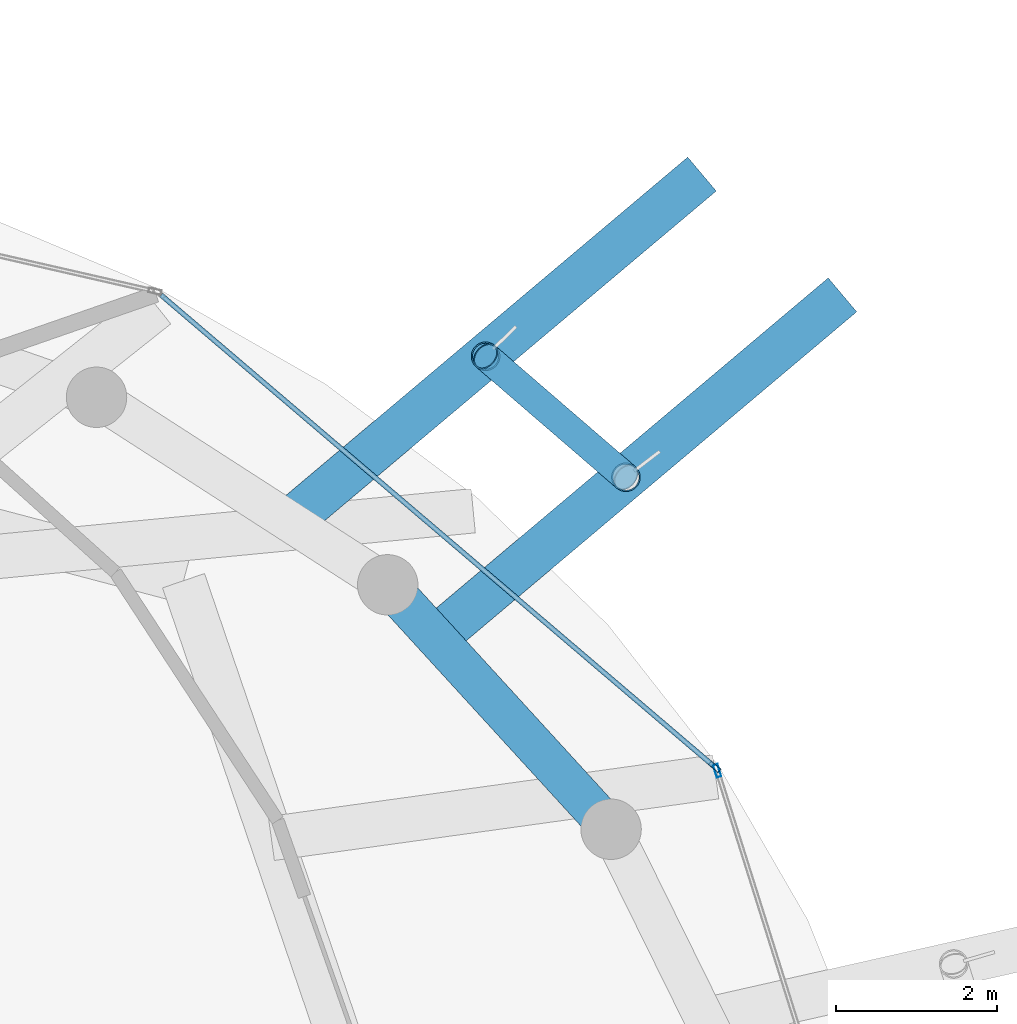
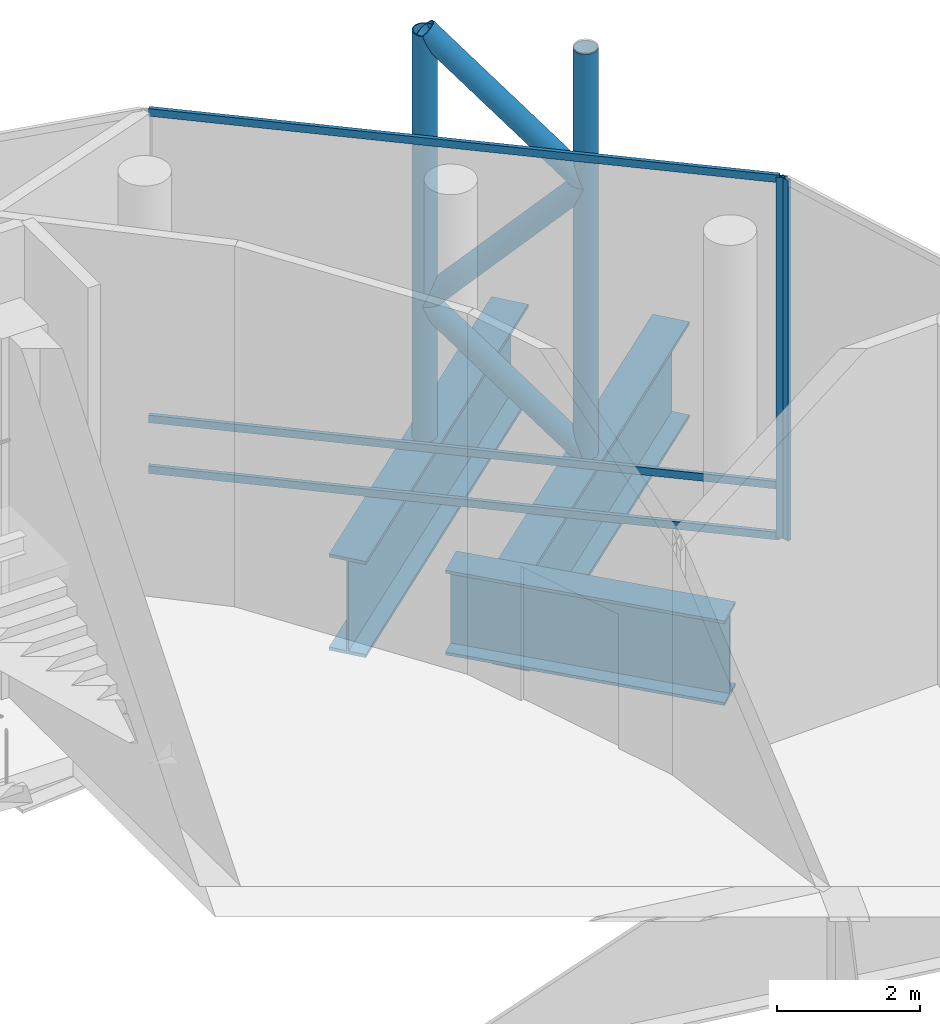
# One storey, part 17 of 26: 10 members, 3 beams, 2 elements without a shape of their own.
"""IFC4 building model written with IfcOpenShell, lengths in metres."""

import ifcopenshell
import ifcopenshell.guid

model = None  # the IFC model being written
_history = None  # IfcOwnerHistory: only IFC2X3 demands one
_inside = {}  # id of a spatial element -> (the spatial element, [elements in it])
_under = {}  # id of a project, library or spatial element -> (it, [spatial elements below it])
_declared = {}  # id of a project -> (the project, [libraries it declares])
_typed = {}  # id of a type object -> (the type object, [elements of that type])
_made_of = {}  # id of a material, layer set ... -> (it, [elements and type objects made of it])


def new_model(schema):
    """Start an empty IFC model of exactly this schema.

    Asked for "IFC4X3", IfcOpenShell would pick the latest addendum, in which some entities
    have other attributes; the version numbers below select the first issue.
    IFC2X3 requires an IfcOwnerHistory on every rooted entity: one is made here for all.
    """
    global model, _history
    if schema == "IFC4X3":
        model = ifcopenshell.file(schema_version=(4, 3, 0, 0))
    else:
        model = ifcopenshell.file(schema=schema)
    _inside.clear()
    _under.clear()
    _declared.clear()
    _typed.clear()
    _made_of.clear()
    _history = None
    if model.schema == "IFC2X3":
        org = make("IfcOrganization", Name="unknown")
        user = make(
            "IfcPersonAndOrganization",
            ThePerson=make("IfcPerson", FamilyName="unknown"),
            TheOrganization=org,
        )
        app = make(
            "IfcApplication",
            ApplicationDeveloper=org,
            Version="unknown",
            ApplicationFullName="unknown",
            ApplicationIdentifier="unknown",
        )
        _history = make(
            "IfcOwnerHistory",
            OwningUser=user,
            OwningApplication=app,
            ChangeAction="ADDED",
            CreationDate=0,
        )
    return model


def make(cls, **values):
    """One entity of the class cls with the attributes given. An attribute that is None is left unset."""
    return model.create_entity(
        cls, **{name: value for name, value in values.items() if value is not None}
    )


def rooted(cls, **values):
    """An entity with a GlobalId (a new one), such as an element, a storey or a relation."""
    return make(cls, GlobalId=ifcopenshell.guid.new(), OwnerHistory=_history, **values)


def si_unit(unit_type, name, prefix=None):
    """IfcSIUnit, for example si_unit("LENGTHUNIT", "METRE", prefix="MILLI")."""
    return make("IfcSIUnit", UnitType=unit_type, Prefix=prefix, Name=name)


def assignment(units):
    """IfcUnitAssignment: the units of a project."""
    return None if units is None else make("IfcUnitAssignment", Units=units)


def point(xyz):
    """IfcCartesianPoint."""
    return None if xyz is None else make("IfcCartesianPoint", Coordinates=xyz)


def direction(xyz):
    """IfcDirection."""
    return None if xyz is None else make("IfcDirection", DirectionRatios=xyz)


def frame(location, z_axis=None, x_axis=None):
    """IfcAxis2Placement3D, a coordinate frame: its origin and axes. An axis left out is left unset."""
    return make(
        "IfcAxis2Placement3D",
        Location=point(location),
        Axis=direction(z_axis),
        RefDirection=direction(x_axis),
    )


def frame_2d(location, x_axis=None):
    """IfcAxis2Placement2D, a coordinate frame in the plane: its origin and x axis."""
    return make(
        "IfcAxis2Placement2D", Location=point(location), RefDirection=direction(x_axis)
    )


def origin():
    """The frame at (0, 0, 0) with its axes left unset."""
    return frame((0.0, 0.0, 0.0))


def origin_2d():
    """The frame at (0, 0) in the plane with its x axis left unset."""
    return frame_2d((0.0, 0.0))


def place(relative_to, where):
    """IfcLocalPlacement: puts the frame where relative to a parent placement (None: the world)."""
    return make(
        "IfcLocalPlacement", PlacementRelTo=relative_to, RelativePlacement=where
    )


def context(
    kind, dimensions, precision=None, world=None, true_north=None, identifier=None
):
    """IfcGeometricRepresentationContext, for example the 3D "Model" context."""
    return make(
        "IfcGeometricRepresentationContext",
        ContextIdentifier=identifier,
        ContextType=kind,
        CoordinateSpaceDimension=dimensions,
        Precision=precision,
        WorldCoordinateSystem=world,
        TrueNorth=true_north,
    )


def subcontext(parent, identifier, kind, view, scale=None):
    """IfcGeometricRepresentationSubContext, for example "Body" below "Model"."""
    return make(
        "IfcGeometricRepresentationSubContext",
        ContextIdentifier=identifier,
        ContextType=kind,
        ParentContext=parent,
        TargetScale=scale,
        TargetView=view,
    )


def project(units=None, contexts=None):
    """IfcProject with its units and contexts."""
    return rooted(
        "IfcProject",
        Name="project",
        RepresentationContexts=contexts,
        UnitsInContext=assignment(units),
    )


def spatial(cls, under=None, at=None, **own):
    """A site, building, storey or space (cls), placed at a placement, below another one or the project."""
    s = rooted(cls, ObjectPlacement=at, **own)
    if under is not None:
        _under.setdefault(under.id(), (under, []))[1].append(s)
    return s


def profile(cls, at=None, kind="AREA", **sizes):
    """A parametric profile (cls). Its sizes go by their IFC names, for example OverallWidth=200.0."""
    return make(cls, ProfileType=kind, Position=at, **sizes)


def hollow_rectangle(**sizes):
    """IfcRectangleHollowProfileDef."""
    return profile("IfcRectangleHollowProfileDef", **sizes)


def hollow_circle(**sizes):
    """IfcCircleHollowProfileDef."""
    return profile("IfcCircleHollowProfileDef", **sizes)


def i_section(**sizes):
    """IfcIShapeProfileDef."""
    return profile("IfcIShapeProfileDef", **sizes)


def extrude(swept, where, along, depth):
    """IfcExtrudedAreaSolid: the profile swept, set in the frame where, extruded along a direction by depth."""
    return make(
        "IfcExtrudedAreaSolid",
        SweptArea=swept,
        Position=where,
        ExtrudedDirection=direction(along),
        Depth=depth,
    )


def shape(context_of_items, identifier, shape_type, items):
    """IfcShapeRepresentation: the items that make up one representation, for example the "Body"."""
    return make(
        "IfcShapeRepresentation",
        ContextOfItems=context_of_items,
        RepresentationIdentifier=identifier,
        RepresentationType=shape_type,
        Items=items,
    )


def material(Name=None, Category=None):
    """IfcMaterial."""
    return make("IfcMaterial", Name=Name, Category=Category)


def layer(
    of_material, thickness, ventilated=None, Name=None, Category=None, Priority=None
):
    """IfcMaterialLayer: one layer of a wall or slab, of a material (None: an air gap)."""
    return make(
        "IfcMaterialLayer",
        Material=of_material,
        LayerThickness=thickness,
        IsVentilated=ventilated,
        Name=Name,
        Category=Category,
        Priority=Priority,
    )


def layer_set(layers, Name=None):
    """IfcMaterialLayerSet."""
    return make("IfcMaterialLayerSet", MaterialLayers=layers, LayerSetName=Name)


def material_profile(
    of_material, cross_section, Name=None, Category=None, Priority=None
):
    """IfcMaterialProfile: a cross section and its material."""
    return make(
        "IfcMaterialProfile",
        Name=Name,
        Material=of_material,
        Profile=cross_section,
        Priority=Priority,
        Category=Category,
    )


def profile_set(profiles, Name=None, composite=None):
    """IfcMaterialProfileSet."""
    return make(
        "IfcMaterialProfileSet",
        Name=Name,
        MaterialProfiles=profiles,
        CompositeProfile=composite,
    )


def made_of(thing, what):
    """Note that an element or type object is made of a material, layer set ...; save() writes the relation."""
    if what is not None:
        _made_of.setdefault(what.id(), (what, []))[1].append(thing)
    return thing


def type_object(cls, material=None, **own):
    """A type object (cls), such as IfcWallType, which elements share."""
    return made_of(rooted(cls, **own), material)


def element(
    cls,
    number,
    at=None,
    inside=None,
    cuts=None,
    type_object=None,
    material=None,
    context=None,
    identifier="Body",
    shape_type=None,
    held_by="IfcProductDefinitionShape",
    body=None,
    shapes=None,
    **own,
):
    """One element of the class cls, such as IfcWall. Its Tag is "e" and its number.

    at: its placement. inside: the storey or other place that contains it. cuts: it is an
    opening in that element (IfcRelVoidsElement). A single representation is given by context,
    identifier, shape_type and body (its items); several are given by shapes. held_by: the class
    of the entity that holds the representations. save() writes the other relations.
    """
    e = rooted(cls, Tag="e%d" % number, ObjectPlacement=at, **own)
    if body is not None:
        shapes = [shape(context, identifier, shape_type, body)]
    if shapes is not None:
        e.Representation = make(held_by, Representations=shapes)
    if inside is not None:
        _inside.setdefault(inside.id(), (inside, []))[1].append(e)
    if cuts is not None:
        rooted(
            "IfcRelVoidsElement", RelatingBuildingElement=cuts, RelatedOpeningElement=e
        )
    if type_object is not None:
        _typed.setdefault(type_object.id(), (type_object, []))[1].append(e)
    return made_of(e, material)


def aggregate(whole, parts):
    """IfcRelAggregates: a whole, such as a stair, and the parts it consists of."""
    return rooted("IfcRelAggregates", RelatingObject=whole, RelatedObjects=parts)


def save(model, path):
    """Write the relations noted so far, then the file.

    IfcRelAggregates (storeys below a building ...), IfcRelContainedInSpatialStructure (elements
    in a storey), IfcRelDefinesByType, IfcRelAssociatesMaterial and IfcRelDeclares: one each for
    every whole, place, type object, material and project.
    """
    for whole, parts in _under.values():
        aggregate(whole, parts)
    for where, things in _inside.values():
        rooted(
            "IfcRelContainedInSpatialStructure",
            RelatedElements=things,
            RelatingStructure=where,
        )
    for kind, things in _typed.values():
        rooted("IfcRelDefinesByType", RelatedObjects=things, RelatingType=kind)
    for what, things in _made_of.values():
        rooted("IfcRelAssociatesMaterial", RelatedObjects=things, RelatingMaterial=what)
    for by, libraries in _declared.values():
        rooted("IfcRelDeclares", RelatingContext=by, RelatedDefinitions=libraries)
    model.write(path)


model = new_model("IFC4")

# Units and contexts
model_context = context("Model", 3, precision=1e-05, world=origin(), true_north=direction((0.0, 1.0)))
body_context = subcontext(model_context, "Body", "Model", "MODEL_VIEW")
ifc_project = project(units=[si_unit("LENGTHUNIT", "METRE"), si_unit("AREAUNIT", "SQUARE_METRE"), si_unit("VOLUMEUNIT", "CUBIC_METRE"), si_unit("PLANEANGLEUNIT", "RADIAN"), si_unit("MASSUNIT", "GRAM", prefix="KILO")], contexts=[model_context])

# Site, building, storey
site_placement = place(None, origin())
site = spatial("IfcSite", under=ifc_project, at=site_placement, CompositionType="ELEMENT")
building_placement = place(site_placement, origin())
building = spatial("IfcBuilding", under=site, at=building_placement, Name="Nuhasar Tower", CompositionType="ELEMENT")
storey_placement = place(building_placement, frame((0.0, 0.0, 306.800048828125)))
storey = spatial("IfcBuildingStorey", under=building, at=storey_placement, Name="L76", CompositionType="ELEMENT", Elevation=306.800048828125)

# Beams
ifc_material_1 = material(Name="Steel S460", Category="steel")
ifc_material_profile_1 = material_profile(ifc_material_1, i_section(OverallWidth=0.5, OverallDepth=1.449951171875, WebThickness=0.028076171875, FlangeThickness=0.050048828125, at=origin_2d()), Name="PG1450X500")
ifc_profile_set_1 = profile_set([ifc_material_profile_1], Name="Steel S460")
beam_type_1 = type_object("IfcBeamType", Name="BM-XFER-PG1450", PredefinedType="USERDEFINED", material=ifc_profile_set_1)
beam_1_placement = place(storey_placement, frame((54.112060546875, 34.125, -1.074951171875), z_axis=(-0.674645322637, 0.738142051806, 0.0), x_axis=(-0.738142051806, -0.674645322637, 0.0)))
element("IfcBeam", 1, at=beam_1_placement, inside=storey, type_object=beam_type_1, Name="L76 Perimeter Ring Spandrel 03", ObjectType="GIRDER", PredefinedType="USERDEFINED", context=body_context, shape_type="SweptSolid", body=[
    extrude(i_section(OverallWidth=0.5, OverallDepth=1.449951171875, WebThickness=0.028076171875, FlangeThickness=0.050048828125, at=origin_2d()), origin(), (0.0, 0.0, 1.0), 4.1103515625),
])
ifc_material_profile_2 = material_profile(ifc_material_1, i_section(OverallWidth=0.550048828125, OverallDepth=1.64990234375, WebThickness=0.031982421875, FlangeThickness=0.054931640625, at=origin_2d()), Name="PG1650X550")
ifc_profile_set_2 = profile_set([ifc_material_profile_2], Name="Steel S460")
beam_type_2 = type_object("IfcBeamType", Name="BM-XFER-PG1650", PredefinedType="USERDEFINED", material=ifc_profile_set_2)
beam_2_placement = place(storey_placement, frame((51.93603515625, 36.506103515625, -1.175048828125), z_axis=(0.764826777632, 0.644235981778, 0.0), x_axis=(-0.644235981778, 0.764826777632, 0.0)))
element("IfcBeam", 2, at=beam_2_placement, inside=storey, type_object=beam_type_2, Name="L76 Exoskeleton Step Transfer Girder 03", ObjectType="GIRDER", PredefinedType="USERDEFINED", context=body_context, shape_type="SweptSolid", body=[
    extrude(i_section(OverallWidth=0.550048828125, OverallDepth=1.64990234375, WebThickness=0.031982421875, FlangeThickness=0.054931640625, at=origin_2d()), origin(), (0.0, 0.0, 1.0), 6.60009765625),
])
beam_3_placement = place(storey_placement, frame((50.117919921875, 37.945068359375, -1.175048828125), z_axis=(0.765007637998, 0.644021206021, 0.0), x_axis=(-0.644021206021, 0.765007637998, 0.0)))
element("IfcBeam", 3, at=beam_3_placement, inside=storey, type_object=beam_type_2, Name="L76 Exoskeleton Step Transfer Girder 04", ObjectType="GIRDER", PredefinedType="USERDEFINED", context=body_context, shape_type="SweptSolid", body=[
    extrude(i_section(OverallWidth=0.550048828125, OverallDepth=1.64990234375, WebThickness=0.031982421875, FlangeThickness=0.054931640625, at=origin_2d()), origin(), (0.0, 0.0, 1.0), 6.695556640625),
])

# Curtain wall, member
ifc_material_2 = material(Name="Aluminium 6063-T6", Category="aluminium")
ifc_layer = layer(ifc_material_2, 0.239990234375)
ifc_layer_set = layer_set([ifc_layer], Name="Aluminium 6063-T6")
curtain_wall_type = type_object("IfcCurtainWallType", Name="CW-SKY-LBY", PredefinedType="NOTDEFINED", material=ifc_layer_set)
curtain_wall_1_placement = place(storey_placement, origin())
curtain_wall_1 = element("IfcCurtainWall", 4, at=curtain_wall_1_placement, inside=storey, type_object=curtain_wall_type, Name="L76 Unitised Curtain Wall 01", PredefinedType="NOTDEFINED")
ifc_material_profile_3 = material_profile(ifc_material_2, hollow_rectangle(XDim=0.06005859375, YDim=0.159912109375, WallThickness=0.0048828125, at=origin_2d()), Name="CWM-6")
ifc_profile_set_3 = profile_set([ifc_material_profile_3], Name="Aluminium 6063-T6")
member_type_1 = type_object("IfcMemberType", Name="CW-MUL-S6", PredefinedType="MULLION", material=ifc_profile_set_3)
member_1_placement = place(storey_placement, frame((55.428955078125, 34.851318359375, 0.0), z_axis=(0.0, 0.0, 1.0), x_axis=(-0.953974417341, -0.299887997525, 0.0)))
member_1 = element("IfcMember", 5, at=member_1_placement, type_object=member_type_1, Name="CW-SL mullion 2", PredefinedType="MULLION", context=body_context, shape_type="SweptSolid", body=[
    extrude(hollow_rectangle(XDim=0.06005859375, YDim=0.159912109375, WallThickness=0.0048828125, at=origin_2d()), origin(), (0.0, 0.0, 1.0), 6.179931640625),
])
aggregate(curtain_wall_1, [member_1])

# Curtain wall, members
curtain_wall_2_placement = place(storey_placement, origin())
curtain_wall_2 = element("IfcCurtainWall", 6, at=curtain_wall_2_placement, inside=storey, type_object=curtain_wall_type, Name="L76 Unitised Curtain Wall 02", PredefinedType="NOTDEFINED")
member_2_placement = place(storey_placement, frame((55.397216796875, 34.8994140625, 0.0), z_axis=(0.0, 0.0, 1.0), x_axis=(-0.648666497118, -0.761072779382, 0.0)))
member_2 = element("IfcMember", 7, at=member_2_placement, type_object=member_type_1, Name="CW-SL mullion 1", PredefinedType="MULLION", context=body_context, shape_type="SweptSolid", body=[
    extrude(hollow_rectangle(XDim=0.06005859375, YDim=0.159912109375, WallThickness=0.0048828125, at=origin_2d()), origin(), (0.0, 0.0, 1.0), 6.179931640625),
])
ifc_material_profile_4 = material_profile(ifc_material_2, hollow_rectangle(XDim=0.06005859375, YDim=0.1298828125, WallThickness=0.00439453125, at=origin_2d()), Name="CWT-6")
ifc_profile_set_4 = profile_set([ifc_material_profile_4], Name="Aluminium 6063-T6")
member_type_2 = type_object("IfcMemberType", Name="CW-TRN-S6", PredefinedType="USERDEFINED", material=ifc_profile_set_4)
member_3_placement = place(storey_placement, frame((55.374267578125, 34.9189453125, 0.030029296875), z_axis=(-0.761071081007, 0.648668489797, 0.0), x_axis=(-0.648668489797, -0.761071081007, 0.0)))
member_3 = element("IfcMember", 8, at=member_3_placement, type_object=member_type_2, Name="CW-SL transom 1.1", ObjectType="TRANSOM", PredefinedType="USERDEFINED", context=body_context, shape_type="SweptSolid", body=[
    extrude(hollow_rectangle(XDim=0.06005859375, YDim=0.1298828125, WallThickness=0.00439453125, at=origin_2d()), origin(), (0.0, 0.0, 1.0), 8.998779296875),
])
member_4_placement = place(storey_placement, frame((55.374267578125, 34.9189453125, 0.89990234375), z_axis=(-0.761071081007, 0.648668489797, 0.0), x_axis=(-0.648668489797, -0.761071081007, 0.0)))
member_4 = element("IfcMember", 9, at=member_4_placement, type_object=member_type_2, Name="CW-SL transom 1.2", ObjectType="TRANSOM", PredefinedType="USERDEFINED", context=body_context, shape_type="SweptSolid", body=[
    extrude(hollow_rectangle(XDim=0.06005859375, YDim=0.1298828125, WallThickness=0.00439453125, at=origin_2d()), origin(), (0.0, 0.0, 1.0), 8.998779296875),
])
member_5_placement = place(storey_placement, frame((55.374267578125, 34.9189453125, 6.14990234375), z_axis=(-0.761071081007, 0.648668489797, 0.0), x_axis=(-0.648668489797, -0.761071081007, 0.0)))
member_5 = element("IfcMember", 10, at=member_5_placement, type_object=member_type_2, Name="CW-SL transom 1.3", ObjectType="TRANSOM", PredefinedType="USERDEFINED", context=body_context, shape_type="SweptSolid", body=[
    extrude(hollow_rectangle(XDim=0.06005859375, YDim=0.1298828125, WallThickness=0.00439453125, at=origin_2d()), origin(), (0.0, 0.0, 1.0), 8.998779296875),
])
aggregate(curtain_wall_2, [member_2, member_3, member_4, member_5])

# Members
ifc_material_profile_5 = material_profile(ifc_material_1, hollow_circle(Radius=0.177734375, WallThickness=0.015869140625, at=origin_2d()), Name="HSS355.6X15.9")
ifc_profile_set_5 = profile_set([ifc_material_profile_5], Name="Steel S460")
member_type_3 = type_object("IfcMemberType", Name="EXO-BRONZE-356", PredefinedType="BRACE", material=ifc_profile_set_5)
for number, where, z_axis, x_axis, name in (
    (11, (54.2958984375, 38.493896484375, -0.35009765625), (0.0, 0.0, 1.0), (1.0, 0.0, 0.0), "L76 Exoskeleton Chord Column EC-02A"),
    (12, (52.553955078125, 39.99609375, -0.35009765625), (0.0, 0.0, 1.0), (1.0, 0.0, 0.0), "L76 Exoskeleton Chord Column EC-02B"),
):
    element("IfcMember", number, at=place(storey_placement, frame(where, z_axis=z_axis, x_axis=x_axis)), inside=storey, type_object=member_type_3, Name=name, PredefinedType="BRACE", context=body_context, shape_type="SweptSolid", body=[
        extrude(hollow_circle(Radius=0.177734375, WallThickness=0.015869140625, at=origin_2d()), origin(), (0.0, 0.0, 1.0), 6.949951171875),
    ])
member_6_placement = place(storey_placement, frame((54.2958984375, 38.493896484375, -0.35009765625), z_axis=(-0.533523426539, 0.460093853328, 0.709694581819), x_axis=(-0.653069787668, -0.757297730378, 0.0)))
element("IfcMember", 13, at=member_6_placement, inside=storey, type_object=member_type_3, Name="L76 Bronze Diagrid Brace W1-02", PredefinedType="BRACE", context=body_context, shape_type="SweptSolid", body=[
    extrude(hollow_circle(Radius=0.177734375, WallThickness=0.015869140625, at=origin_2d()), origin(), (0.0, 0.0, 1.0), 3.264892578125),
])
member_7_placement = place(storey_placement, frame((52.553955078125, 39.99609375, 1.967041015625), z_axis=(0.533665010136, -0.460215950577, 0.709508939895), x_axis=(0.653069787668, 0.757297730378, 0.0)))
element("IfcMember", 14, at=member_7_placement, inside=storey, type_object=member_type_3, Name="L76 Bronze Diagrid Brace W2-02", PredefinedType="BRACE", context=body_context, shape_type="SweptSolid", body=[
    extrude(hollow_circle(Radius=0.177734375, WallThickness=0.015869140625, at=origin_2d()), origin(), (0.0, 0.0, 1.0), 3.26416015625),
])
member_8_placement = place(storey_placement, frame((54.2958984375, 38.493896484375, 4.282958984375), z_axis=(-0.533551740211, 0.460118270149, 0.709657465256), x_axis=(-0.653069787668, -0.757297730378, 0.0)))
element("IfcMember", 15, at=member_8_placement, inside=storey, type_object=member_type_3, Name="L76 Bronze Diagrid Brace W3-02", PredefinedType="BRACE", context=body_context, shape_type="SweptSolid", body=[
    extrude(hollow_circle(Radius=0.177734375, WallThickness=0.015869140625, at=origin_2d()), origin(), (0.0, 0.0, 1.0), 3.264892578125),
])

save(model, "model.ifc")
